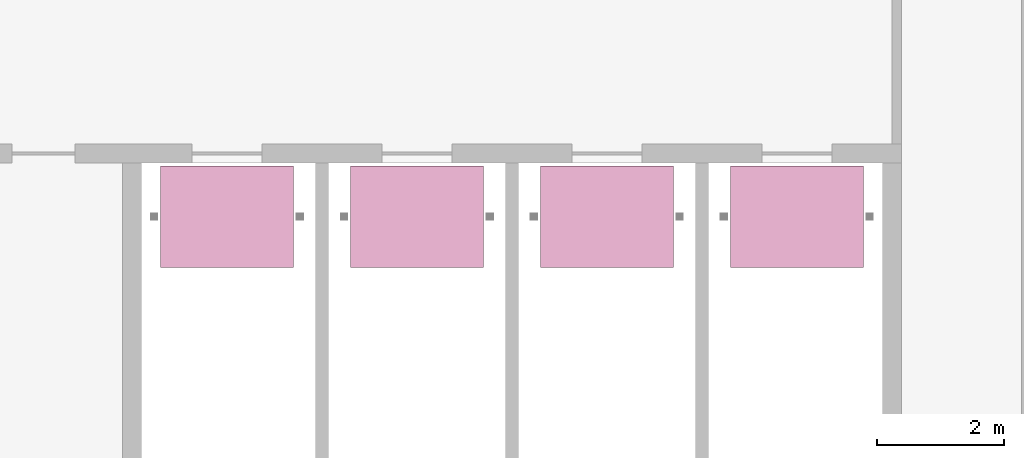
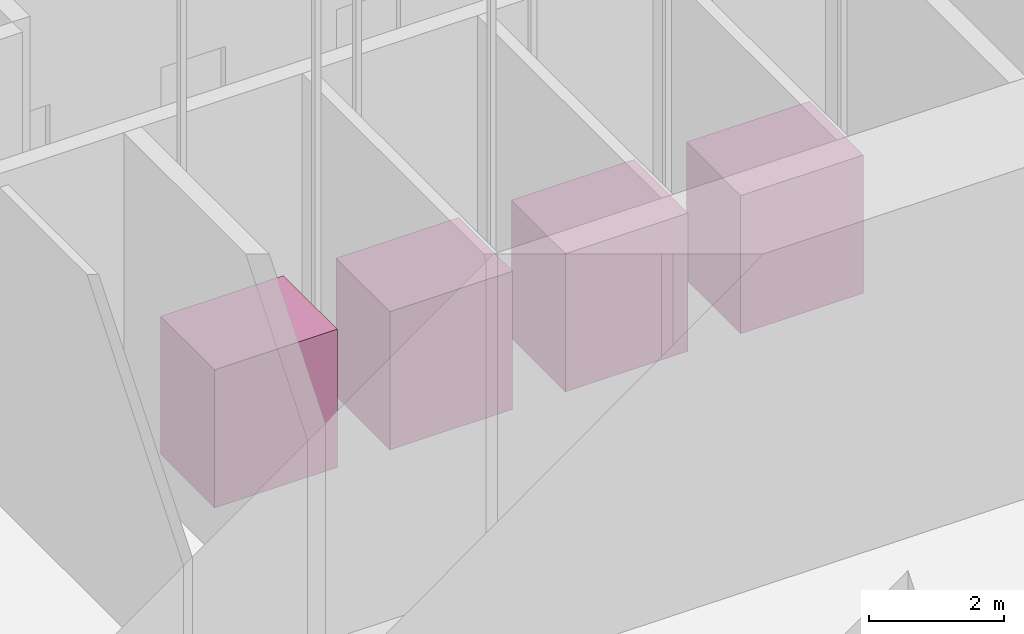
# One storey, part 17 of 21: 4 transport elements.
"""IFC4 building model written with IfcOpenShell, lengths in metres."""

from ifc_helpers import new_model, si_unit, direction, frame, origin, origin_2d, place, context, subcontext, project, spatial, rectangle, extrude, material, type_object, element, save


model = new_model("IFC4")

# Units and contexts
model_context = context("Model", 3, precision=1e-05, world=origin(), true_north=direction((0.0, 1.0)))
body_context = subcontext(model_context, "Body", "Model", "MODEL_VIEW")
ifc_project = project(units=[si_unit("LENGTHUNIT", "METRE"), si_unit("AREAUNIT", "SQUARE_METRE"), si_unit("VOLUMEUNIT", "CUBIC_METRE"), si_unit("PLANEANGLEUNIT", "RADIAN"), si_unit("MASSUNIT", "GRAM", prefix="KILO")], contexts=[model_context])

# Site, building, storey
site_placement = place(None, origin())
site = spatial("IfcSite", under=ifc_project, at=site_placement, CompositionType="ELEMENT")
building_placement = place(site_placement, origin())
building = spatial("IfcBuilding", under=site, at=building_placement, Name="Highveld Stack Headquarters", CompositionType="ELEMENT")
storey_placement = place(building_placement, origin())
storey = spatial("IfcBuildingStorey", under=building, at=storey_placement, Name="L00", CompositionType="ELEMENT", Elevation=0.0)

# Transport elements
ifc_material = material(Name="Stainless steel lift car", Category="steel")
transport_element_type = type_object("IfcTransportElementType", Name="PASSENGER LIFT CAR 2100x1600", PredefinedType="ELEVATOR", material=ifc_material)
for number, where, z_axis, x_axis, name in (
    (1, (1.5, -1.0, 0.0), (0.0, 0.0, 1.0), (1.0, 0.0, 0.0), "Lift B1"),
    (2, (4.5, -1.0, 0.0), (0.0, 0.0, 1.0), (1.0, 0.0, 0.0), "Lift B2"),
    (3, (7.5, -1.0, 0.0), (0.0, 0.0, 1.0), (1.0, 0.0, 0.0), "Lift C1"),
    (4, (10.5, -1.0, 0.0), (0.0, 0.0, 1.0), (1.0, 0.0, 0.0), "Lift C2"),
):
    element("IfcTransportElement", number, at=place(storey_placement, frame(where, z_axis=z_axis, x_axis=x_axis)), inside=storey, type_object=transport_element_type, Name=name, PredefinedType="ELEVATOR", context=body_context, shape_type="SweptSolid", body=[
        extrude(rectangle(XDim=2.10009765625, YDim=1.60009765625, at=origin_2d()), origin(), (0.0, 0.0, 1.0), 2.5),
    ])

save(model, "model.ifc")
